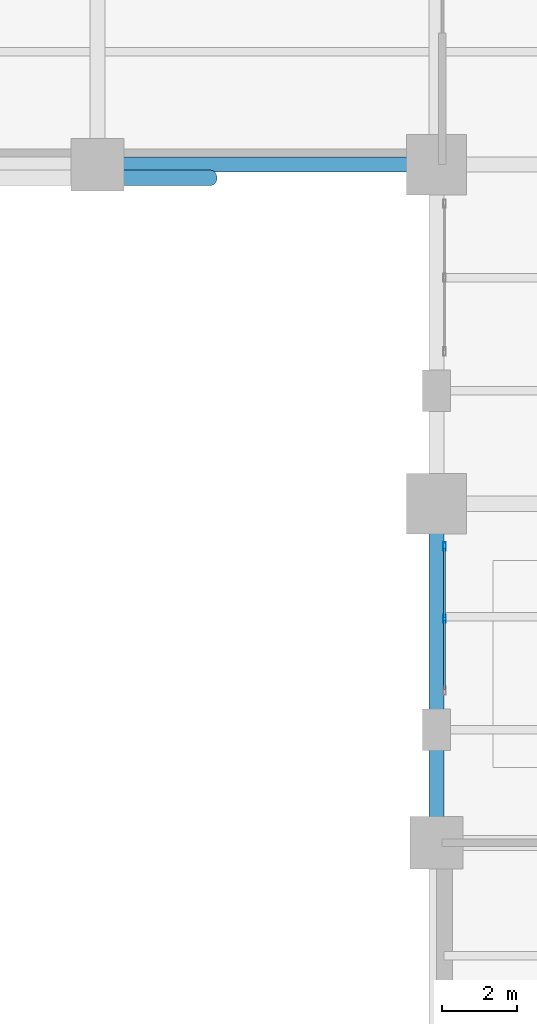
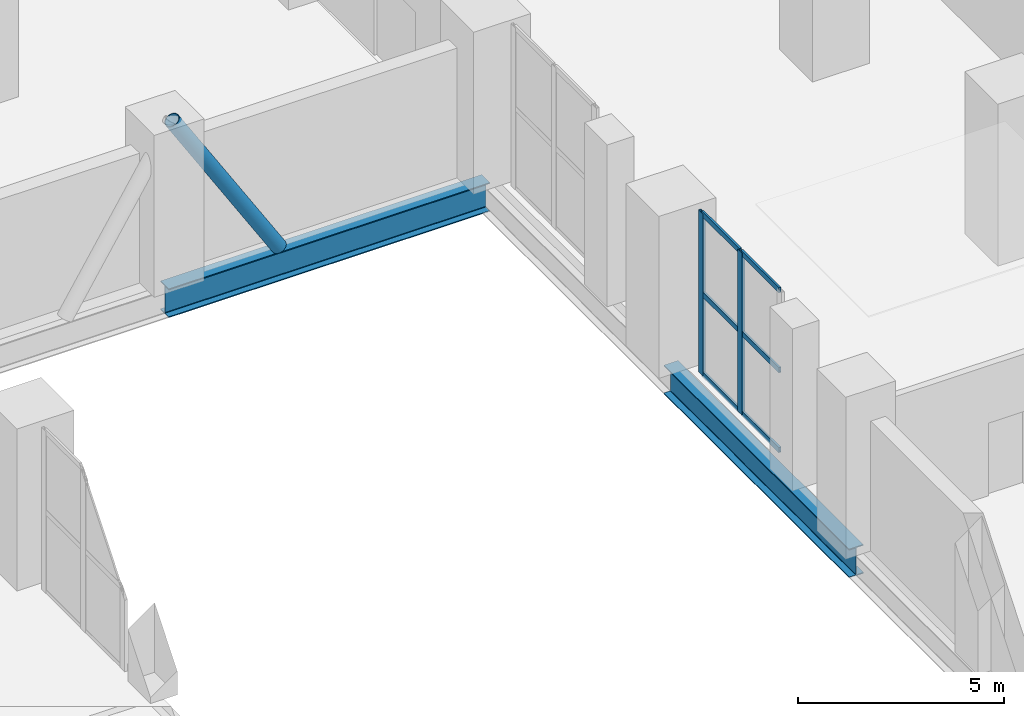
# One storey, part 5 of 13: 9 members, 2 beams, 1 element without a shape of its own.
"""IFC4 building model written with IfcOpenShell, lengths in metres."""

from ifc_helpers import new_model, si_unit, direction, frame, origin, origin_2d, place, context, subcontext, project, spatial, hollow_rectangle, hollow_circle, i_section, extrude, material, layer, layer_set, material_profile, profile_set, type_object, element, aggregate, save


model = new_model("IFC4")

# Units and contexts
model_context = context("Model", 3, precision=1e-05, world=origin(), true_north=direction((0.0, 1.0)))
body_context = subcontext(model_context, "Body", "Model", "MODEL_VIEW")
ifc_project = project(units=[si_unit("LENGTHUNIT", "METRE"), si_unit("AREAUNIT", "SQUARE_METRE"), si_unit("VOLUMEUNIT", "CUBIC_METRE"), si_unit("PLANEANGLEUNIT", "RADIAN"), si_unit("MASSUNIT", "GRAM", prefix="KILO")], contexts=[model_context])

# Site, building, storey
site_placement = place(None, origin())
site = spatial("IfcSite", under=ifc_project, at=site_placement, CompositionType="ELEMENT")
building_placement = place(site_placement, origin())
building = spatial("IfcBuilding", under=site, at=building_placement, Name="Mawjdan Bourse Tower", CompositionType="ELEMENT")
storey_placement = place(building_placement, frame((0.0, 0.0, 10.800048828125)))
storey = spatial("IfcBuildingStorey", under=building, at=storey_placement, Name="L02", CompositionType="ELEMENT", Elevation=10.800048828125)

# Member
ifc_material_1 = material(Name="Structural Steel S460", Category="steel")
ifc_material_profile_1 = material_profile(ifc_material_1, hollow_circle(Radius=0.203125, WallThickness=0.01611328125, at=origin_2d()), Name="CHS406X16")
ifc_profile_set_1 = profile_set([ifc_material_profile_1], Name="Structural Steel S460")
member_type_1 = type_object("IfcMemberType", Name="ARC-CHS406X16", PredefinedType="USERDEFINED", material=ifc_profile_set_1)
member_1_placement = place(storey_placement, frame((45.0, 29.64990234375, 0.0), z_axis=(-0.529995063044, 0.0, 0.848000727092), x_axis=(0.0, -1.0, 0.0)))
element("IfcMember", 1, at=member_1_placement, inside=storey, type_object=member_type_1, Name="L02 Giant Arch Structural Rib NORTH 6", ObjectType="ARCH RIB", PredefinedType="USERDEFINED", context=body_context, shape_type="SweptSolid", body=[
    extrude(hollow_circle(Radius=0.203125, WallThickness=0.01611328125, at=origin_2d()), origin(), (0.0, 0.0, 1.0), 5.660400390625),
])

# Beams
ifc_material_2 = material(Name="Structural Steel S355", Category="steel")
ifc_material_profile_2 = material_profile(ifc_material_2, i_section(OverallWidth=0.39892578125, OverallDepth=0.85595703125, WebThickness=0.018310546875, FlangeThickness=0.029296875, FilletRadius=0.0234375, at=origin_2d()), Name="W33X201")
ifc_profile_set_2 = profile_set([ifc_material_profile_2], Name="Structural Steel S355")
beam_type = type_object("IfcBeamType", Name="GRD-W33X201", PredefinedType="BEAM", material=ifc_profile_set_2)
for number, where, z_axis, x_axis, name in (
    (2, (51.0, 12.0, -0.72802734375), (0.0, 1.0, 0.0), (-1.0, 0.0, 0.0), "L02 Podium Primary Girder 027"),
    (3, (42.0, 30.0, -0.72802734375), (1.0, 0.0, 0.0), (0.0, 1.0, 0.0), "L02 Podium Tie Girder 058"),
):
    element("IfcBeam", number, at=place(storey_placement, frame(where, z_axis=z_axis, x_axis=x_axis)), inside=storey, type_object=beam_type, Name=name, PredefinedType="BEAM", context=body_context, shape_type="SweptSolid", body=[
        extrude(i_section(OverallWidth=0.39892578125, OverallDepth=0.85595703125, WebThickness=0.018310546875, FlangeThickness=0.029296875, FilletRadius=0.0234375, at=origin_2d()), origin(), (0.0, 0.0, 1.0), 9.0),
    ])

# Curtain wall, members
ifc_material_3 = material(Name="Thermally Broken Aluminium and Solar Glass", Category="aluminium")
ifc_layer = layer(ifc_material_3, 0.219970703125)
ifc_layer_set = layer_set([ifc_layer], Name="Thermally Broken Aluminium and Solar Glass")
curtain_wall_type = type_object("IfcCurtainWallType", Name="CW-ARCH", PredefinedType="USERDEFINED", material=ifc_layer_set)
curtain_wall_placement = place(storey_placement, origin())
curtain_wall = element("IfcCurtainWall", 4, at=curtain_wall_placement, inside=storey, type_object=curtain_wall_type, Name="L02 Giant Arch East Glazed Wall South", ObjectType="ARCHWAY GLAZED CURTAIN WALL", PredefinedType="USERDEFINED")
ifc_material_4 = material(Name="Thermally Broken Anodised Aluminium", Category="aluminium")
ifc_material_profile_3 = material_profile(ifc_material_4, hollow_rectangle(XDim=0.074951171875, YDim=0.219970703125, WallThickness=0.0048828125, at=origin_2d()), Name="ALU-MUL-220X75")
ifc_profile_set_3 = profile_set([ifc_material_profile_3], Name="Thermally Broken Anodised Aluminium")
member_type_2 = type_object("IfcMemberType", Name="MUL-ALU-MUL-220X75", PredefinedType="MULLION", material=ifc_profile_set_3)
member_2_placement = place(storey_placement, frame((51.2099609375, 17.949951171875, 0.0), z_axis=(0.0, 0.0, 1.0), x_axis=(-1.0, 0.0, 0.0)))
member_2 = element("IfcMember", 5, at=member_2_placement, type_object=member_type_2, Name="CW-ARCH-L02-ARCH-E1 mullion 2", PredefinedType="MULLION", context=body_context, shape_type="SweptSolid", body=[
    extrude(hollow_rectangle(XDim=0.074951171875, YDim=0.219970703125, WallThickness=0.0048828125, at=origin_2d()), origin(), (0.0, 0.0, 1.0), 4.800048828125),
])
member_3_placement = place(storey_placement, frame((51.2099609375, 19.862548828125, 0.0), z_axis=(0.0, 0.0, 1.0), x_axis=(-1.0, 0.0, 0.0)))
member_3 = element("IfcMember", 6, at=member_3_placement, type_object=member_type_2, Name="CW-ARCH-L02-ARCH-E1 mullion 3", PredefinedType="MULLION", context=body_context, shape_type="SweptSolid", body=[
    extrude(hollow_rectangle(XDim=0.074951171875, YDim=0.219970703125, WallThickness=0.0048828125, at=origin_2d()), origin(), (0.0, 0.0, 1.0), 4.800048828125),
])
ifc_material_profile_4 = material_profile(ifc_material_4, hollow_rectangle(XDim=0.06005859375, YDim=0.155029296875, WallThickness=0.00390625, at=origin_2d()), Name="ALU-TRN-155X60")
ifc_profile_set_4 = profile_set([ifc_material_profile_4], Name="Thermally Broken Anodised Aluminium")
member_type_3 = type_object("IfcMemberType", Name="TRN-ALU-TRN-155X60", PredefinedType="USERDEFINED", material=ifc_profile_set_4)
member_4_placement = place(storey_placement, frame((51.2099609375, 16.074951171875, 0.030029296875), z_axis=(0.0, 1.0, 0.0), x_axis=(-1.0, 0.0, 0.0)))
member_4 = element("IfcMember", 7, at=member_4_placement, type_object=member_type_3, Name="CW-ARCH-L02-ARCH-E1 transom 1.1", ObjectType="TRANSOM", PredefinedType="USERDEFINED", context=body_context, shape_type="SweptSolid", body=[
    extrude(hollow_rectangle(XDim=0.06005859375, YDim=0.155029296875, WallThickness=0.00390625, at=origin_2d()), origin(), (0.0, 0.0, 1.0), 1.837646484375),
])
member_5_placement = place(storey_placement, frame((51.2099609375, 16.074951171875, 2.39990234375), z_axis=(0.0, 1.0, 0.0), x_axis=(-1.0, 0.0, 0.0)))
member_5 = element("IfcMember", 8, at=member_5_placement, type_object=member_type_3, Name="CW-ARCH-L02-ARCH-E1 transom 1.2", ObjectType="TRANSOM", PredefinedType="USERDEFINED", context=body_context, shape_type="SweptSolid", body=[
    extrude(hollow_rectangle(XDim=0.06005859375, YDim=0.155029296875, WallThickness=0.00390625, at=origin_2d()), origin(), (0.0, 0.0, 1.0), 1.837646484375),
])
member_6_placement = place(storey_placement, frame((51.2099609375, 16.074951171875, 4.77001953125), z_axis=(0.0, 1.0, 0.0), x_axis=(-1.0, 0.0, 0.0)))
member_6 = element("IfcMember", 9, at=member_6_placement, type_object=member_type_3, Name="CW-ARCH-L02-ARCH-E1 transom 1.3", ObjectType="TRANSOM", PredefinedType="USERDEFINED", context=body_context, shape_type="SweptSolid", body=[
    extrude(hollow_rectangle(XDim=0.06005859375, YDim=0.155029296875, WallThickness=0.00390625, at=origin_2d()), origin(), (0.0, 0.0, 1.0), 1.837646484375),
])
member_7_placement = place(storey_placement, frame((51.2099609375, 17.987548828125, 0.030029296875), z_axis=(0.0, 1.0, 0.0), x_axis=(-1.0, 0.0, 0.0)))
member_7 = element("IfcMember", 10, at=member_7_placement, type_object=member_type_3, Name="CW-ARCH-L02-ARCH-E1 transom 2.1", ObjectType="TRANSOM", PredefinedType="USERDEFINED", context=body_context, shape_type="SweptSolid", body=[
    extrude(hollow_rectangle(XDim=0.06005859375, YDim=0.155029296875, WallThickness=0.00390625, at=origin_2d()), origin(), (0.0, 0.0, 1.0), 1.83740234375),
])
member_8_placement = place(storey_placement, frame((51.2099609375, 17.987548828125, 2.39990234375), z_axis=(0.0, 1.0, 0.0), x_axis=(-1.0, 0.0, 0.0)))
member_8 = element("IfcMember", 11, at=member_8_placement, type_object=member_type_3, Name="CW-ARCH-L02-ARCH-E1 transom 2.2", ObjectType="TRANSOM", PredefinedType="USERDEFINED", context=body_context, shape_type="SweptSolid", body=[
    extrude(hollow_rectangle(XDim=0.06005859375, YDim=0.155029296875, WallThickness=0.00390625, at=origin_2d()), origin(), (0.0, 0.0, 1.0), 1.83740234375),
])
member_9_placement = place(storey_placement, frame((51.2099609375, 17.987548828125, 4.77001953125), z_axis=(0.0, 1.0, 0.0), x_axis=(-1.0, 0.0, 0.0)))
member_9 = element("IfcMember", 12, at=member_9_placement, type_object=member_type_3, Name="CW-ARCH-L02-ARCH-E1 transom 2.3", ObjectType="TRANSOM", PredefinedType="USERDEFINED", context=body_context, shape_type="SweptSolid", body=[
    extrude(hollow_rectangle(XDim=0.06005859375, YDim=0.155029296875, WallThickness=0.00390625, at=origin_2d()), origin(), (0.0, 0.0, 1.0), 1.83740234375),
])
aggregate(curtain_wall, [member_2, member_3, member_4, member_5, member_6, member_7, member_8, member_9])

save(model, "model.ifc")
